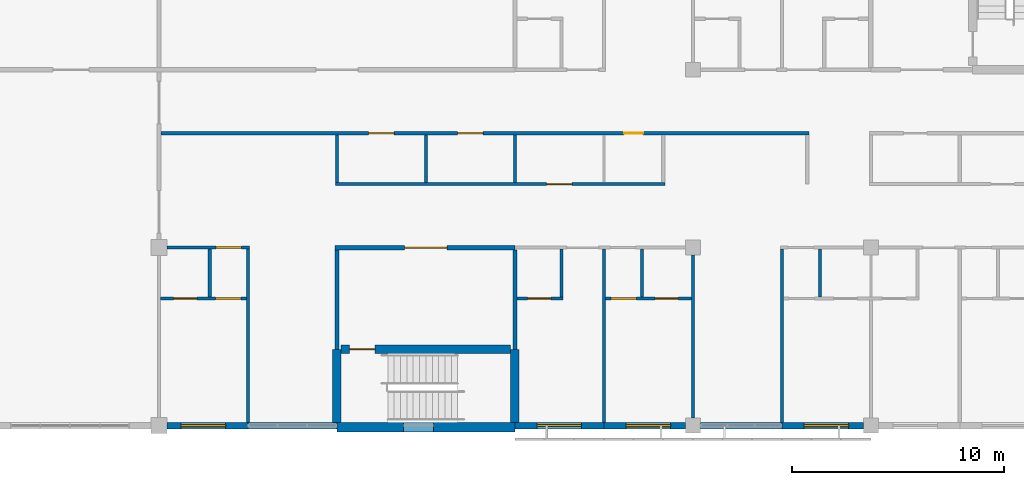
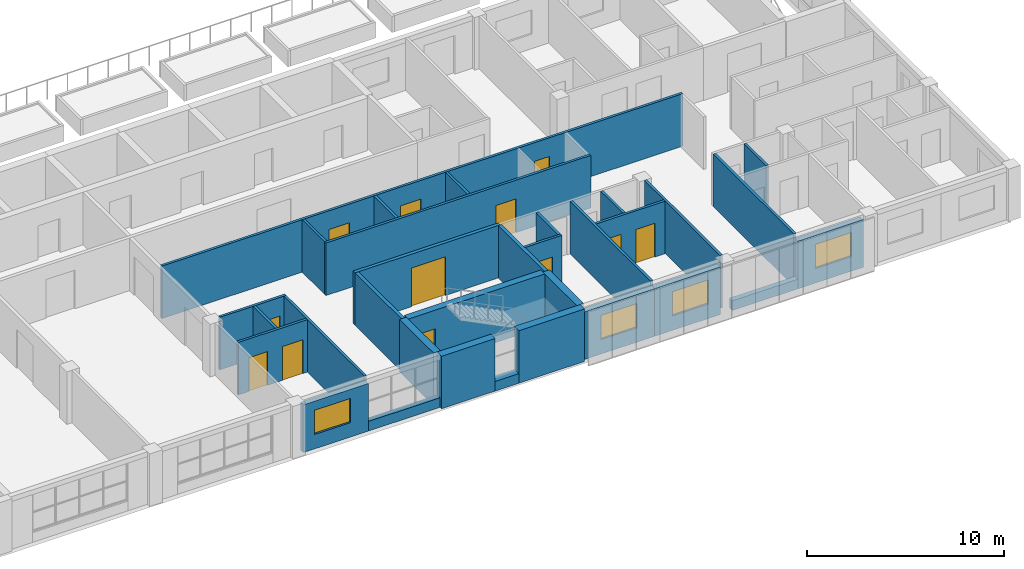
# One storey, part 44 of 61: 32 walls, 12 doors, 4 windows, 16 openings.
"""IFC4 building model written with IfcOpenShell, lengths in metres."""

from ifc_helpers import new_model, si_unit, direction, frame, frame_2d, origin, place, context, subcontext, project, spatial, rectangle, extrude, material, layer, layer_set, type_object, element, fill, save


model = new_model("IFC4")

# Units and contexts
model_context = context("Model", 3, precision=1e-05, world=origin(), true_north=direction((0.0, 1.0)))
body_context = subcontext(model_context, "Body", "Model", "MODEL_VIEW")
ifc_project = project(units=[si_unit("LENGTHUNIT", "METRE"), si_unit("AREAUNIT", "SQUARE_METRE"), si_unit("VOLUMEUNIT", "CUBIC_METRE"), si_unit("PLANEANGLEUNIT", "RADIAN"), si_unit("MASSUNIT", "GRAM", prefix="KILO")], contexts=[model_context])

# Site, building, storey
site_placement = place(None, origin())
site = spatial("IfcSite", under=ifc_project, at=site_placement, CompositionType="ELEMENT")
building_placement = place(site_placement, origin())
building = spatial("IfcBuilding", under=site, at=building_placement, Name="Yavir Park General Hospital", CompositionType="ELEMENT")
storey_placement = place(building_placement, frame((0.0, 0.0, 15.300048828125)))
storey = spatial("IfcBuildingStorey", under=building, at=storey_placement, Name="L03", CompositionType="ELEMENT", Elevation=15.300048828125)

# Wall, opening, door
ifc_material_1 = material(Name="Double gypsum board fire partition on steel studs", Category="steel")
ifc_layer_1 = layer(ifc_material_1, 0.199951171875)
ifc_layer_set_1 = layer_set([ifc_layer_1], Name="Double gypsum board fire partition on steel studs")
wall_type_1 = type_object("IfcWallType", Name="Fire-rated partition 200, EI 60", PredefinedType="PARTITIONING", material=ifc_layer_set_1)
wall_1_placement = place(storey_placement, frame((134.300048828125, 8.39990234375, 0.0), z_axis=(0.0, 0.0, 1.0), x_axis=(1.0, 0.0, 0.0)))
wall_1 = element("IfcWall", 1, at=wall_1_placement, inside=storey, type_object=wall_type_1, Name="FP20 L03-025", PredefinedType="PARTITIONING", context=body_context, shape_type="SweptSolid", body=[
    extrude(rectangle(XDim=8.5, YDim=0.199951171875, at=frame_2d((4.25, 0.0))), origin(), (0.0, 0.0, 1.0), 3.260009765625),
])
opening_1_placement = place(wall_1_placement, frame((3.300048828125, 0.0, 0.0)))
opening_1 = element("IfcOpeningElement", 2, at=opening_1_placement, cuts=wall_1, Name="Opening L03.D033", PredefinedType="OPENING", context=body_context, shape_type="SweptSolid", body=[
    extrude(rectangle(XDim=2.0, YDim=2.39990234375, at=frame_2d((1.0, 1.199951171875))), frame((0.0, 0.10986328125, 0.0), z_axis=(0.0, -1.0, 0.0), x_axis=(1.0, 0.0, 0.0)), (0.0, 0.0, 1.0), 0.219970703125),
])
ifc_material_2 = material(Name="Steel frame, fire-resisting leaves with vision panels", Category="steel")
door_type_1 = type_object("IfcDoorType", Name="Double fire door with vision panels 2000 x 2400, EI 60", OperationType="DOUBLE_DOOR_SINGLE_SWING", PredefinedType="DOOR", material=ifc_material_2)
door_1_placement = place(opening_1_placement, origin())
door_1 = element("IfcDoor", 3, at=door_1_placement, inside=storey, type_object=door_type_1, Name="L03.D033", OperationType="SINGLE_SWING_LEFT", OverallHeight=2.39990234375, OverallWidth=2.0, PredefinedType="DOOR", context=body_context, shape_type="SweptSolid", body=[
    extrude(rectangle(XDim=2.0, YDim=2.39990234375, at=frame_2d((1.0, 1.199951171875))), frame((0.0, 0.030029296875, 0.0), z_axis=(0.0, -1.0, 0.0), x_axis=(1.0, 0.0, 0.0)), (0.0, 0.0, 1.0), 0.06005859375),
])
fill(opening_1, door_1)

# Walls
for number, where, z_axis, x_axis, name in (
    (4, (134.39990234375, 3.60009765625, 0.0), (0.0, 0.0, 1.0), (0.0, 1.0, 0.0), "FP20 L03-265"),
    (5, (142.800048828125, 3.60009765625, 0.0), (0.0, 0.0, 1.0), (0.0, 1.0, 0.0), "FP20 L03-271"),
):
    element("IfcWall", number, at=place(storey_placement, frame(where, z_axis=z_axis, x_axis=x_axis)), inside=storey, type_object=wall_type_1, Name=name, PredefinedType="PARTITIONING", context=body_context, shape_type="SweptSolid", body=[
        extrude(rectangle(XDim=4.699951171875, YDim=0.199951171875, at=frame_2d((2.35009765625, 0.0))), origin(), (0.0, 0.0, 1.0), 3.260009765625),
    ])

# Wall, openings, doors
ifc_material_3 = material(Name="Gypsum board partition on steel studs", Category="steel")
ifc_layer_2 = layer(ifc_material_3, 0.14990234375)
ifc_layer_set_2 = layer_set([ifc_layer_2], Name="Gypsum board partition on steel studs")
wall_type_2 = type_object("IfcWallType", Name="Gypsum board partition 150", PredefinedType="PARTITIONING", material=ifc_layer_set_2)
wall_2_placement = place(storey_placement, frame((126.074951171875, 6.0, 0.0), z_axis=(0.0, 0.0, 1.0), x_axis=(1.0, 0.0, 0.0)))
wall_2 = element("IfcWall", 6, at=wall_2_placement, inside=storey, type_object=wall_type_2, Name="P15 L03-009", PredefinedType="PARTITIONING", context=body_context, shape_type="SweptSolid", body=[
    extrude(rectangle(XDim=4.050048828125, YDim=0.14990234375, at=frame_2d((2.02490234375, 0.0))), origin(), (0.0, 0.0, 1.0), 3.260009765625),
])
opening_2_placement = place(wall_2_placement, frame((0.612548828125, 0.0, 0.0)))
opening_2 = element("IfcOpeningElement", 7, at=opening_2_placement, cuts=wall_2, Name="Opening L03.D010", PredefinedType="OPENING", context=body_context, shape_type="SweptSolid", body=[
    extrude(rectangle(XDim=1.10009765625, YDim=2.10009765625, at=frame_2d((0.550048828125, 1.050048828125))), frame((0.0, 0.0849609375, 0.0), z_axis=(0.0, -1.0, 0.0), x_axis=(1.0, 0.0, 0.0)), (0.0, 0.0, 1.0), 0.169921875),
])
opening_3_placement = place(wall_2_placement, frame((2.58740234375, 0.0, 0.0)))
opening_3 = element("IfcOpeningElement", 8, at=opening_3_placement, cuts=wall_2, Name="Opening L03.D011", PredefinedType="OPENING", context=body_context, shape_type="SweptSolid", body=[
    extrude(rectangle(XDim=1.199951171875, YDim=2.10009765625, at=frame_2d((0.60009765625, 1.050048828125))), frame((0.0, 0.0849609375, 0.0), z_axis=(0.0, -1.0, 0.0), x_axis=(1.0, 0.0, 0.0)), (0.0, 0.0, 1.0), 0.169921875),
])
ifc_material_4 = material(Name="Sealed steel door leaf, compression seals", Category="steel")
door_type_2 = type_object("IfcDoorType", Name="Isolation airlock door 1200 x 2100", OperationType="SINGLE_SWING_LEFT", PredefinedType="DOOR", material=ifc_material_4)
door_2_placement = place(opening_3_placement, origin())
door_2 = element("IfcDoor", 9, at=door_2_placement, inside=storey, type_object=door_type_2, Name="L03.D011", OperationType="SINGLE_SWING_RIGHT", OverallHeight=2.10009765625, OverallWidth=1.199951171875, PredefinedType="DOOR", context=body_context, shape_type="SweptSolid", body=[
    extrude(rectangle(XDim=1.199951171875, YDim=2.10009765625, at=frame_2d((0.60009765625, 1.050048828125))), frame((0.0, 0.050048828125, 0.0), z_axis=(0.0, -1.0, 0.0), x_axis=(1.0, 0.0, 0.0)), (0.0, 0.0, 1.0), 0.10009765625),
])
fill(opening_3, door_2)
ifc_material_5 = material(Name="Hollow metal frame, solid-core timber leaf", Category="wood")
door_type_3 = type_object("IfcDoorType", Name="Single swing door 1100 x 2100", OperationType="SINGLE_SWING_LEFT", PredefinedType="DOOR", material=ifc_material_5)
door_3_placement = place(opening_2_placement, origin())
door_3 = element("IfcDoor", 10, at=door_3_placement, inside=storey, type_object=door_type_3, Name="L03.D010", OperationType="SINGLE_SWING_LEFT", OverallHeight=2.10009765625, OverallWidth=1.10009765625, PredefinedType="DOOR", context=body_context, shape_type="SweptSolid", body=[
    extrude(rectangle(XDim=1.10009765625, YDim=2.10009765625, at=frame_2d((0.550048828125, 1.050048828125))), frame((0.0, 0.02490234375, 0.0), z_axis=(0.0, -1.0, 0.0), x_axis=(1.0, 0.0, 0.0)), (0.0, 0.0, 1.0), 0.050048828125),
])
fill(opening_2, door_3)

# Wall, opening, door
wall_3_placement = place(storey_placement, frame((142.89990234375, 6.0, 0.0), z_axis=(0.0, 0.0, 1.0), x_axis=(1.0, 0.0, 0.0)))
wall_3 = element("IfcWall", 11, at=wall_3_placement, inside=storey, type_object=wall_type_2, Name="P15 L03-010", PredefinedType="PARTITIONING", context=body_context, shape_type="SweptSolid", body=[
    extrude(rectangle(XDim=2.175048828125, YDim=0.14990234375, at=frame_2d((1.08740234375, 0.0))), origin(), (0.0, 0.0, 1.0), 3.260009765625),
])
opening_4_placement = place(wall_3_placement, frame((0.5, 0.0, 0.0)))
opening_4 = element("IfcOpeningElement", 12, at=opening_4_placement, cuts=wall_3, Name="Opening L03.D012", PredefinedType="OPENING", context=body_context, shape_type="SweptSolid", body=[
    extrude(rectangle(XDim=1.10009765625, YDim=2.10009765625, at=frame_2d((0.550048828125, 1.050048828125))), frame((0.0, 0.0849609375, 0.0), z_axis=(0.0, -1.0, 0.0), x_axis=(1.0, 0.0, 0.0)), (0.0, 0.0, 1.0), 0.169921875),
])
door_4_placement = place(opening_4_placement, origin())
door_4 = element("IfcDoor", 13, at=door_4_placement, inside=storey, type_object=door_type_3, Name="L03.D012", OperationType="SINGLE_SWING_LEFT", OverallHeight=2.10009765625, OverallWidth=1.10009765625, PredefinedType="DOOR", context=body_context, shape_type="SweptSolid", body=[
    extrude(rectangle(XDim=1.10009765625, YDim=2.10009765625, at=frame_2d((0.550048828125, 1.050048828125))), frame((0.0, 0.02490234375, 0.0), z_axis=(0.0, -1.0, 0.0), x_axis=(1.0, 0.0, 0.0)), (0.0, 0.0, 1.0), 0.050048828125),
])
fill(opening_4, door_4)

# Wall, openings, doors
wall_4_placement = place(storey_placement, frame((147.074951171875, 6.0, 0.0), z_axis=(0.0, 0.0, 1.0), x_axis=(1.0, 0.0, 0.0)))
wall_4 = element("IfcWall", 14, at=wall_4_placement, inside=storey, type_object=wall_type_2, Name="P15 L03-011", PredefinedType="PARTITIONING", context=body_context, shape_type="SweptSolid", body=[
    extrude(rectangle(XDim=4.050048828125, YDim=0.14990234375, at=frame_2d((2.02490234375, 0.0))), origin(), (0.0, 0.0, 1.0), 3.260009765625),
])
opening_5_placement = place(wall_4_placement, frame((0.262451171875, 0.0, 0.0)))
opening_5 = element("IfcOpeningElement", 15, at=opening_5_placement, cuts=wall_4, Name="Opening L03.D013", PredefinedType="OPENING", context=body_context, shape_type="SweptSolid", body=[
    extrude(rectangle(XDim=1.199951171875, YDim=2.10009765625, at=frame_2d((0.60009765625, 1.050048828125))), frame((0.0, 0.0849609375, 0.0), z_axis=(0.0, -1.0, 0.0), x_axis=(1.0, 0.0, 0.0)), (0.0, 0.0, 1.0), 0.169921875),
])
opening_6_placement = place(wall_4_placement, frame((2.33740234375, 0.0, 0.0)))
opening_6 = element("IfcOpeningElement", 16, at=opening_6_placement, cuts=wall_4, Name="Opening L03.D014", PredefinedType="OPENING", context=body_context, shape_type="SweptSolid", body=[
    extrude(rectangle(XDim=1.10009765625, YDim=2.10009765625, at=frame_2d((0.550048828125, 1.050048828125))), frame((0.0, 0.0849609375, 0.0), z_axis=(0.0, -1.0, 0.0), x_axis=(1.0, 0.0, 0.0)), (0.0, 0.0, 1.0), 0.169921875),
])
door_5_placement = place(opening_5_placement, origin())
door_5 = element("IfcDoor", 17, at=door_5_placement, inside=storey, type_object=door_type_2, Name="L03.D013", OperationType="SINGLE_SWING_LEFT", OverallHeight=2.10009765625, OverallWidth=1.199951171875, PredefinedType="DOOR", context=body_context, shape_type="SweptSolid", body=[
    extrude(rectangle(XDim=1.199951171875, YDim=2.10009765625, at=frame_2d((0.60009765625, 1.050048828125))), frame((0.0, 0.050048828125, 0.0), z_axis=(0.0, -1.0, 0.0), x_axis=(1.0, 0.0, 0.0)), (0.0, 0.0, 1.0), 0.10009765625),
])
fill(opening_5, door_5)
door_6_placement = place(opening_6_placement, origin())
door_6 = element("IfcDoor", 18, at=door_6_placement, inside=storey, type_object=door_type_3, Name="L03.D014", OperationType="SINGLE_SWING_RIGHT", OverallHeight=2.10009765625, OverallWidth=1.10009765625, PredefinedType="DOOR", context=body_context, shape_type="SweptSolid", body=[
    extrude(rectangle(XDim=1.10009765625, YDim=2.10009765625, at=frame_2d((0.550048828125, 1.050048828125))), frame((0.0, 0.02490234375, 0.0), z_axis=(0.0, -1.0, 0.0), x_axis=(1.0, 0.0, 0.0)), (0.0, 0.0, 1.0), 0.050048828125),
])
fill(opening_6, door_6)

# Wall, opening, door
wall_5_placement = place(storey_placement, frame((126.375, 8.39990234375, 0.0), z_axis=(0.0, 0.0, 1.0), x_axis=(1.0, 0.0, 0.0)))
wall_5 = element("IfcWall", 19, at=wall_5_placement, inside=storey, type_object=wall_type_2, Name="P15 L03-024", PredefinedType="PARTITIONING", context=body_context, shape_type="SweptSolid", body=[
    extrude(rectangle(XDim=3.89990234375, YDim=0.14990234375, at=frame_2d((1.949951171875, 0.0))), origin(), (0.0, 0.0, 1.0), 3.260009765625),
])
opening_7_placement = place(wall_5_placement, frame((2.324951171875, 0.0, 0.0)))
opening_7 = element("IfcOpeningElement", 20, at=opening_7_placement, cuts=wall_5, Name="Opening L03.D032", PredefinedType="OPENING", context=body_context, shape_type="SweptSolid", body=[
    extrude(rectangle(XDim=1.199951171875, YDim=2.10009765625, at=frame_2d((0.60009765625, 1.050048828125))), frame((0.0, 0.0849609375, 0.0), z_axis=(0.0, -1.0, 0.0), x_axis=(1.0, 0.0, 0.0)), (0.0, 0.0, 1.0), 0.169921875),
])
door_7_placement = place(opening_7_placement, origin())
door_7 = element("IfcDoor", 21, at=door_7_placement, inside=storey, type_object=door_type_2, Name="L03.D032", OperationType="SINGLE_SWING_LEFT", OverallHeight=2.10009765625, OverallWidth=1.199951171875, PredefinedType="DOOR", context=body_context, shape_type="SweptSolid", body=[
    extrude(rectangle(XDim=1.199951171875, YDim=2.10009765625, at=frame_2d((0.60009765625, 1.050048828125))), frame((0.0, 0.050048828125, 0.0), z_axis=(0.0, -1.0, 0.0), x_axis=(1.0, 0.0, 0.0)), (0.0, 0.0, 1.0), 0.10009765625),
])
fill(opening_7, door_7)

wall_6_placement = place(storey_placement, frame((134.324951171875, 11.39990234375, 0.0), z_axis=(0.0, 0.0, 1.0), x_axis=(1.0, 0.0, 0.0)))
wall_6 = element("IfcWall", 22, at=wall_6_placement, inside=storey, type_object=wall_type_2, Name="P15 L03-032", PredefinedType="PARTITIONING", context=body_context, shape_type="SweptSolid", body=[
    extrude(rectangle(XDim=15.550048828125, YDim=0.14990234375, at=frame_2d((7.77490234375, 0.0))), origin(), (0.0, 0.0, 1.0), 3.260009765625),
])
opening_8_placement = place(wall_6_placement, frame((9.97509765625, 0.0, 0.0)))
opening_8 = element("IfcOpeningElement", 23, at=opening_8_placement, cuts=wall_6, Name="Opening L03.D046", PredefinedType="OPENING", context=body_context, shape_type="SweptSolid", body=[
    extrude(rectangle(XDim=1.199951171875, YDim=2.10009765625, at=frame_2d((0.60009765625, 1.050048828125))), frame((0.0, 0.0849609375, 0.0), z_axis=(0.0, -1.0, 0.0), x_axis=(1.0, 0.0, 0.0)), (0.0, 0.0, 1.0), 0.169921875),
])
ifc_material_6 = material(Name="Hollow metal frame, solid-core timber leaf", Category="wood")
door_type_4 = type_object("IfcDoorType", Name="Single swing door 1200 x 2100", OperationType="SINGLE_SWING_LEFT", PredefinedType="DOOR", material=ifc_material_6)
door_8_placement = place(opening_8_placement, origin())
door_8 = element("IfcDoor", 24, at=door_8_placement, inside=storey, type_object=door_type_4, Name="L03.D046", OperationType="SINGLE_SWING_RIGHT", OverallHeight=2.10009765625, OverallWidth=1.199951171875, PredefinedType="DOOR", context=body_context, shape_type="SweptSolid", body=[
    extrude(rectangle(XDim=1.199951171875, YDim=2.10009765625, at=frame_2d((0.60009765625, 1.050048828125))), frame((0.0, 0.02490234375, 0.0), z_axis=(0.0, -1.0, 0.0), x_axis=(1.0, 0.0, 0.0)), (0.0, 0.0, 1.0), 0.050048828125),
])
fill(opening_8, door_8)

# Wall, openings, doors
wall_7_placement = place(storey_placement, frame((126.10009765625, 13.800048828125, 0.0), z_axis=(0.0, 0.0, 1.0), x_axis=(1.0, 0.0, 0.0)))
wall_7 = element("IfcWall", 25, at=wall_7_placement, inside=storey, type_object=wall_type_2, Name="P15 L03-038", PredefinedType="PARTITIONING", context=body_context, shape_type="SweptSolid", body=[
    extrude(rectangle(XDim=30.574951171875, YDim=0.14990234375, at=frame_2d((15.28759765625, 0.0))), origin(), (0.0, 0.0, 1.0), 3.260009765625),
])
opening_9_placement = place(wall_7_placement, frame((9.800048828125, 0.0, 0.0)))
opening_9 = element("IfcOpeningElement", 26, at=opening_9_placement, cuts=wall_7, Name="Opening L03.D050", PredefinedType="OPENING", context=body_context, shape_type="SweptSolid", body=[
    extrude(rectangle(XDim=1.199951171875, YDim=2.10009765625, at=frame_2d((0.60009765625, 1.050048828125))), frame((0.0, 0.0849609375, 0.0), z_axis=(0.0, -1.0, 0.0), x_axis=(1.0, 0.0, 0.0)), (0.0, 0.0, 1.0), 0.169921875),
])
opening_10_placement = place(wall_7_placement, frame((14.0, 0.0, 0.0)))
opening_10 = element("IfcOpeningElement", 27, at=opening_10_placement, cuts=wall_7, Name="Opening L03.D051", PredefinedType="OPENING", context=body_context, shape_type="SweptSolid", body=[
    extrude(rectangle(XDim=1.199951171875, YDim=2.10009765625, at=frame_2d((0.60009765625, 1.050048828125))), frame((0.0, 0.0849609375, 0.0), z_axis=(0.0, -1.0, 0.0), x_axis=(1.0, 0.0, 0.0)), (0.0, 0.0, 1.0), 0.169921875),
])
opening_11_placement = place(wall_7_placement, frame((21.85009765625, 0.0, 0.0)))
opening_11 = element("IfcOpeningElement", 28, at=opening_11_placement, cuts=wall_7, Name="Opening L03.D052", PredefinedType="OPENING", context=body_context, shape_type="SweptSolid", body=[
    extrude(rectangle(XDim=0.89990234375, YDim=2.10009765625, at=frame_2d((0.449951171875, 1.050048828125))), frame((0.0, 0.0849609375, 0.0), z_axis=(0.0, -1.0, 0.0), x_axis=(1.0, 0.0, 0.0)), (0.0, 0.0, 1.0), 0.169921875),
])
ifc_material_7 = material(Name="Timber frame, hollow-core leaf", Category="wood")
door_type_5 = type_object("IfcDoorType", Name="Light cupboard door 900 x 2100", OperationType="SINGLE_SWING_LEFT", PredefinedType="DOOR", material=ifc_material_7)
door_9_placement = place(opening_11_placement, origin())
door_9 = element("IfcDoor", 29, at=door_9_placement, inside=storey, type_object=door_type_5, Name="L03.D052", OperationType="SINGLE_SWING_LEFT", OverallHeight=2.10009765625, OverallWidth=0.89990234375, PredefinedType="DOOR", context=body_context, shape_type="SweptSolid", body=[
    extrude(rectangle(XDim=0.89990234375, YDim=2.10009765625, at=frame_2d((0.449951171875, 1.050048828125))), frame((0.0, 0.02001953125, 0.0), z_axis=(0.0, -1.0, 0.0), x_axis=(1.0, 0.0, 0.0)), (0.0, 0.0, 1.0), 0.0400390625),
])
fill(opening_11, door_9)
door_10_placement = place(opening_9_placement, origin())
door_10 = element("IfcDoor", 30, at=door_10_placement, inside=storey, type_object=door_type_4, Name="L03.D050", OperationType="SINGLE_SWING_LEFT", OverallHeight=2.10009765625, OverallWidth=1.199951171875, PredefinedType="DOOR", context=body_context, shape_type="SweptSolid", body=[
    extrude(rectangle(XDim=1.199951171875, YDim=2.10009765625, at=frame_2d((0.60009765625, 1.050048828125))), frame((0.0, 0.02490234375, 0.0), z_axis=(0.0, -1.0, 0.0), x_axis=(1.0, 0.0, 0.0)), (0.0, 0.0, 1.0), 0.050048828125),
])
fill(opening_9, door_10)
door_11_placement = place(opening_10_placement, origin())
door_11 = element("IfcDoor", 31, at=door_11_placement, inside=storey, type_object=door_type_4, Name="L03.D051", OperationType="SINGLE_SWING_LEFT", OverallHeight=2.10009765625, OverallWidth=1.199951171875, PredefinedType="DOOR", context=body_context, shape_type="SweptSolid", body=[
    extrude(rectangle(XDim=1.199951171875, YDim=2.10009765625, at=frame_2d((0.60009765625, 1.050048828125))), frame((0.0, 0.02490234375, 0.0), z_axis=(0.0, -1.0, 0.0), x_axis=(1.0, 0.0, 0.0)), (0.0, 0.0, 1.0), 0.050048828125),
])
fill(opening_10, door_11)

# Walls
wall_8_placement = place(storey_placement, frame((128.39990234375, 6.074951171875, 0.0), z_axis=(0.0, 0.0, 1.0), x_axis=(0.0, 1.0, 0.0)))
element("IfcWall", 32, at=wall_8_placement, inside=storey, type_object=wall_type_2, Name="P15 L03-261", PredefinedType="PARTITIONING", context=body_context, shape_type="SweptSolid", body=[
    extrude(rectangle(XDim=2.25, YDim=0.14990234375, at=frame_2d((1.125, 0.0))), origin(), (0.0, 0.0, 1.0), 3.260009765625),
])
wall_9_placement = place(storey_placement, frame((130.199951171875, 0.14990234375, 0.0), z_axis=(0.0, 0.0, 1.0), x_axis=(0.0, 1.0, 0.0)))
element("IfcWall", 33, at=wall_9_placement, inside=storey, type_object=wall_type_2, Name="P15 L03-262", PredefinedType="PARTITIONING", context=body_context, shape_type="SweptSolid", body=[
    extrude(rectangle(XDim=8.175048828125, YDim=0.14990234375, at=frame_2d((4.08740234375, 0.0))), origin(), (0.0, 0.0, 1.0), 3.260009765625),
])
for number, where, z_axis, x_axis, name in (
    (34, (134.39990234375, 11.47509765625, 0.0), (0.0, 0.0, 1.0), (0.0, 1.0, 0.0), "P15 L03-266"),
    (35, (138.60009765625, 11.47509765625, 0.0), (0.0, 0.0, 1.0), (0.0, 1.0, 0.0), "P15 L03-268"),
    (36, (142.800048828125, 11.47509765625, 0.0), (0.0, 0.0, 1.0), (0.0, 1.0, 0.0), "P15 L03-272"),
    (37, (145.0, 6.074951171875, 0.0), (0.0, 0.0, 1.0), (0.0, 1.0, 0.0), "P15 L03-275"),
):
    element("IfcWall", number, at=place(storey_placement, frame(where, z_axis=z_axis, x_axis=x_axis)), inside=storey, type_object=wall_type_2, Name=name, PredefinedType="PARTITIONING", context=body_context, shape_type="SweptSolid", body=[
        extrude(rectangle(XDim=2.25, YDim=0.14990234375, at=frame_2d((1.125, 0.0))), origin(), (0.0, 0.0, 1.0), 3.260009765625),
    ])
wall_10_placement = place(storey_placement, frame((147.0, 0.14990234375, 0.0), z_axis=(0.0, 0.0, 1.0), x_axis=(0.0, 1.0, 0.0)))
element("IfcWall", 38, at=wall_10_placement, inside=storey, type_object=wall_type_2, Name="P15 L03-277", PredefinedType="PARTITIONING", context=body_context, shape_type="SweptSolid", body=[
    extrude(rectangle(XDim=8.175048828125, YDim=0.14990234375, at=frame_2d((4.08740234375, 0.0))), origin(), (0.0, 0.0, 1.0), 3.260009765625),
])
wall_11_placement = place(storey_placement, frame((148.800048828125, 6.074951171875, 0.0), z_axis=(0.0, 0.0, 1.0), x_axis=(0.0, 1.0, 0.0)))
element("IfcWall", 39, at=wall_11_placement, inside=storey, type_object=wall_type_2, Name="P15 L03-280", PredefinedType="PARTITIONING", context=body_context, shape_type="SweptSolid", body=[
    extrude(rectangle(XDim=2.25, YDim=0.14990234375, at=frame_2d((1.125, 0.0))), origin(), (0.0, 0.0, 1.0), 3.260009765625),
])
wall_12_placement = place(storey_placement, frame((151.199951171875, 0.35009765625, 0.0), z_axis=(0.0, 0.0, 1.0), x_axis=(0.0, 1.0, 0.0)))
element("IfcWall", 40, at=wall_12_placement, inside=storey, type_object=wall_type_2, Name="P15 L03-282", PredefinedType="PARTITIONING", context=body_context, shape_type="SweptSolid", body=[
    extrude(rectangle(XDim=7.699951171875, YDim=0.14990234375, at=frame_2d((3.85009765625, 0.0))), origin(), (0.0, 0.0, 1.0), 3.260009765625),
])
wall_13_placement = place(storey_placement, frame((155.39990234375, 0.14990234375, 0.0), z_axis=(0.0, 0.0, 1.0), x_axis=(0.0, 1.0, 0.0)))
element("IfcWall", 41, at=wall_13_placement, inside=storey, type_object=wall_type_2, Name="P15 L03-285", PredefinedType="PARTITIONING", context=body_context, shape_type="SweptSolid", body=[
    extrude(rectangle(XDim=8.175048828125, YDim=0.14990234375, at=frame_2d((4.08740234375, 0.0))), origin(), (0.0, 0.0, 1.0), 3.260009765625),
])
wall_14_placement = place(storey_placement, frame((157.199951171875, 6.074951171875, 0.0), z_axis=(0.0, 0.0, 1.0), x_axis=(0.0, 1.0, 0.0)))
element("IfcWall", 42, at=wall_14_placement, inside=storey, type_object=wall_type_2, Name="P15 L03-288", PredefinedType="PARTITIONING", context=body_context, shape_type="SweptSolid", body=[
    extrude(rectangle(XDim=2.25, YDim=0.14990234375, at=frame_2d((1.125, 0.0))), origin(), (0.0, 0.0, 1.0), 3.260009765625),
])

# Wall, opening, window
ifc_material_8 = material(Name="Autoclaved aerated block, mineral wool and ochre mineral render")
ifc_layer_3 = layer(ifc_material_8, 0.300048828125)
ifc_layer_set_3 = layer_set([ifc_layer_3], Name="Autoclaved aerated block, mineral wool and ochre mineral render")
wall_type_3 = type_object("IfcWallType", Name="Ochre render ward wall 300, E 30", PredefinedType="SOLIDWALL", material=ifc_layer_set_3)
wall_15_placement = place(storey_placement, frame((126.375, 0.0, 0.0), z_axis=(0.0, 0.0, 1.0), x_axis=(1.0, 0.0, 0.0)))
wall_15 = element("IfcWall", 43, at=wall_15_placement, inside=storey, type_object=wall_type_3, Name="XW7 L03-034", PredefinedType="SOLIDWALL", context=body_context, shape_type="SweptSolid", body=[
    extrude(rectangle(XDim=3.824951171875, YDim=0.300048828125, at=frame_2d((1.91259765625, 0.0))), origin(), (0.0, 0.0, 1.0), 2.9599609375),
])
opening_12_placement = place(wall_15_placement, frame((0.675048828125, 0.0, 0.89990234375)))
opening_12 = element("IfcOpeningElement", 44, at=opening_12_placement, cuts=wall_15, Name="Opening WI", PredefinedType="OPENING", context=body_context, shape_type="SweptSolid", body=[
    extrude(rectangle(XDim=2.10009765625, YDim=1.5, at=frame_2d((1.050048828125, 0.75))), frame((0.0, 0.159912109375, 0.0), z_axis=(0.0, -1.0, 0.0), x_axis=(1.0, 0.0, 0.0)), (0.0, 0.0, 1.0), 0.320068359375),
])
ifc_material_9 = material(Name="Aluminium frame, acoustic glazed unit", Category="aluminium")
window_type_1 = type_object("IfcWindowType", Name="Acoustic glazed window 2100 x 1500", PartitioningType="SINGLE_PANEL", PredefinedType="WINDOW", material=ifc_material_9)
window_1_placement = place(opening_12_placement, origin())
window_1 = element("IfcWindow", 45, at=window_1_placement, inside=storey, type_object=window_type_1, Name="WI L03-015", OverallHeight=1.5, OverallWidth=2.10009765625, PartitioningType="SINGLE_PANEL", PredefinedType="WINDOW", context=body_context, shape_type="SweptSolid", body=[
    extrude(rectangle(XDim=2.10009765625, YDim=1.5, at=frame_2d((1.050048828125, 0.75))), frame((0.0, 0.044921875, 0.0), z_axis=(0.0, -1.0, 0.0), x_axis=(1.0, 0.0, 0.0)), (0.0, 0.0, 1.0), 0.090087890625),
])
fill(opening_12, window_1)

# Wall
wall_16_placement = place(storey_placement, frame((130.199951171875, 0.0, 0.0), z_axis=(0.0, 0.0, 1.0), x_axis=(1.0, 0.0, 0.0)))
element("IfcWall", 46, at=wall_16_placement, inside=storey, type_object=wall_type_3, Name="XW7 L03-035", PredefinedType="SOLIDWALL", context=body_context, shape_type="SweptSolid", body=[
    extrude(rectangle(XDim=4.199951171875, YDim=0.300048828125, at=frame_2d((2.10009765625, 0.0))), origin(), (0.0, 0.0, 1.0), 0.599853515625),
])

# Wall, opening, window
wall_17_placement = place(storey_placement, frame((142.800048828125, 0.0, 0.0), z_axis=(0.0, 0.0, 1.0), x_axis=(1.0, 0.0, 0.0)))
wall_17 = element("IfcWall", 47, at=wall_17_placement, inside=storey, type_object=wall_type_3, Name="XW7 L03-039", PredefinedType="SOLIDWALL", context=body_context, shape_type="SweptSolid", body=[
    extrude(rectangle(XDim=4.199951171875, YDim=0.300048828125, at=frame_2d((2.10009765625, 0.0))), origin(), (0.0, 0.0, 1.0), 2.9599609375),
])
opening_13_placement = place(wall_17_placement, frame((1.050048828125, 0.0, 0.89990234375)))
opening_13 = element("IfcOpeningElement", 48, at=opening_13_placement, cuts=wall_17, Name="Opening WAR", PredefinedType="OPENING", context=body_context, shape_type="SweptSolid", body=[
    extrude(rectangle(XDim=2.10009765625, YDim=1.5, at=frame_2d((1.050048828125, 0.75))), frame((0.0, 0.159912109375, 0.0), z_axis=(0.0, -1.0, 0.0), x_axis=(1.0, 0.0, 0.0)), (0.0, 0.0, 1.0), 0.320068359375),
])
ifc_material_10 = material(Name="Aluminium frame, tilt-and-turn sash with opening restrictor, double glazed unit", Category="aluminium")
window_type_2 = type_object("IfcWindowType", Name="Ward window, restricted opening 2100 x 1500", PartitioningType="DOUBLE_PANEL_VERTICAL", PredefinedType="WINDOW", material=ifc_material_10)
window_2_placement = place(opening_13_placement, origin())
window_2 = element("IfcWindow", 49, at=window_2_placement, inside=storey, type_object=window_type_2, Name="WAR L03-016", OverallHeight=1.5, OverallWidth=2.10009765625, PartitioningType="DOUBLE_PANEL_VERTICAL", PredefinedType="WINDOW", context=body_context, shape_type="SweptSolid", body=[
    extrude(rectangle(XDim=2.10009765625, YDim=1.5, at=frame_2d((1.050048828125, 0.75))), frame((0.0, 0.050048828125, 0.0), z_axis=(0.0, -1.0, 0.0), x_axis=(1.0, 0.0, 0.0)), (0.0, 0.0, 1.0), 0.10009765625),
])
fill(opening_13, window_2)

wall_18_placement = place(storey_placement, frame((147.0, 0.0, 0.0), z_axis=(0.0, 0.0, 1.0), x_axis=(1.0, 0.0, 0.0)))
wall_18 = element("IfcWall", 50, at=wall_18_placement, inside=storey, type_object=wall_type_3, Name="XW7 L03-040", PredefinedType="SOLIDWALL", context=body_context, shape_type="SweptSolid", body=[
    extrude(rectangle(XDim=3.85009765625, YDim=0.300048828125, at=frame_2d((1.925048828125, 0.0))), origin(), (0.0, 0.0, 1.0), 2.9599609375),
])
opening_14_placement = place(wall_18_placement, frame((1.050048828125, 0.0, 0.89990234375)))
opening_14 = element("IfcOpeningElement", 51, at=opening_14_placement, cuts=wall_18, Name="Opening WI", PredefinedType="OPENING", context=body_context, shape_type="SweptSolid", body=[
    extrude(rectangle(XDim=2.10009765625, YDim=1.5, at=frame_2d((1.050048828125, 0.75))), frame((0.0, 0.159912109375, 0.0), z_axis=(0.0, -1.0, 0.0), x_axis=(1.0, 0.0, 0.0)), (0.0, 0.0, 1.0), 0.320068359375),
])
window_3_placement = place(opening_14_placement, origin())
window_3 = element("IfcWindow", 52, at=window_3_placement, inside=storey, type_object=window_type_1, Name="WI L03-017", OverallHeight=1.5, OverallWidth=2.10009765625, PartitioningType="SINGLE_PANEL", PredefinedType="WINDOW", context=body_context, shape_type="SweptSolid", body=[
    extrude(rectangle(XDim=2.10009765625, YDim=1.5, at=frame_2d((1.050048828125, 0.75))), frame((0.0, 0.044921875, 0.0), z_axis=(0.0, -1.0, 0.0), x_axis=(1.0, 0.0, 0.0)), (0.0, 0.0, 1.0), 0.090087890625),
])
fill(opening_14, window_3)

# Wall
wall_19_placement = place(storey_placement, frame((151.550048828125, 0.0, 0.0), z_axis=(0.0, 0.0, 1.0), x_axis=(1.0, 0.0, 0.0)))
element("IfcWall", 53, at=wall_19_placement, inside=storey, type_object=wall_type_3, Name="XW7 L03-041", PredefinedType="SOLIDWALL", context=body_context, shape_type="SweptSolid", body=[
    extrude(rectangle(XDim=3.849853515625, YDim=0.300048828125, at=frame_2d((1.9248046875, 0.0))), origin(), (0.0, 0.0, 1.0), 0.599853515625),
])

# Wall, opening, window
wall_20_placement = place(storey_placement, frame((155.39990234375, 0.0, 0.0), z_axis=(0.0, 0.0, 1.0), x_axis=(1.0, 0.0, 0.0)))
wall_20 = element("IfcWall", 54, at=wall_20_placement, inside=storey, type_object=wall_type_3, Name="XW7 L03-042", PredefinedType="SOLIDWALL", context=body_context, shape_type="SweptSolid", body=[
    extrude(rectangle(XDim=3.85009765625, YDim=0.300048828125, at=frame_2d((1.925048828125, 0.0))), origin(), (0.0, 0.0, 1.0), 2.9599609375),
])
opening_15_placement = place(wall_20_placement, frame((1.050048828125, 0.0, 0.89990234375)))
opening_15 = element("IfcOpeningElement", 55, at=opening_15_placement, cuts=wall_20, Name="Opening WI", PredefinedType="OPENING", context=body_context, shape_type="SweptSolid", body=[
    extrude(rectangle(XDim=2.10009765625, YDim=1.5, at=frame_2d((1.050048828125, 0.75))), frame((0.0, 0.159912109375, 0.0), z_axis=(0.0, -1.0, 0.0), x_axis=(1.0, 0.0, 0.0)), (0.0, 0.0, 1.0), 0.320068359375),
])
window_4_placement = place(opening_15_placement, origin())
window_4 = element("IfcWindow", 56, at=window_4_placement, inside=storey, type_object=window_type_1, Name="WI L03-018", OverallHeight=1.5, OverallWidth=2.10009765625, PartitioningType="SINGLE_PANEL", PredefinedType="WINDOW", context=body_context, shape_type="SweptSolid", body=[
    extrude(rectangle(XDim=2.10009765625, YDim=1.5, at=frame_2d((1.050048828125, 0.75))), frame((0.0, 0.044921875, 0.0), z_axis=(0.0, -1.0, 0.0), x_axis=(1.0, 0.0, 0.0)), (0.0, 0.0, 1.0), 0.090087890625),
])
fill(opening_15, window_4)

# Wall, opening, door
ifc_material_11 = material(Name="Concrete C35/45", Category="concrete")
ifc_layer_4 = layer(ifc_material_11, 0.39990234375)
ifc_layer_set_4 = layer_set([ifc_layer_4], Name="Concrete C35/45")
wall_type_4 = type_object("IfcWallType", Name="Reinforced concrete core wall 400, REI 150", PredefinedType="SHEAR", material=ifc_layer_set_4)
wall_21_placement = place(storey_placement, frame((134.60009765625, 3.60009765625, 0.0), z_axis=(0.0, 0.0, 1.0), x_axis=(1.0, 0.0, 0.0)))
wall_21 = element("IfcWall", 57, at=wall_21_placement, inside=storey, type_object=wall_type_4, Name="CW40 L03-004", PredefinedType="SHEAR", context=body_context, shape_type="SweptSolid", body=[
    extrude(rectangle(XDim=8.0, YDim=0.39990234375, at=frame_2d((4.0, 0.0))), origin(), (0.0, 0.0, 1.0), 3.260009765625),
])
opening_16_placement = place(wall_21_placement, frame((0.39990234375, 0.0, 0.0)))
opening_16 = element("IfcOpeningElement", 58, at=opening_16_placement, cuts=wall_21, Name="Opening L03.D004", PredefinedType="OPENING", context=body_context, shape_type="SweptSolid", body=[
    extrude(rectangle(XDim=1.199951171875, YDim=2.10009765625, at=frame_2d((0.60009765625, 1.050048828125))), frame((0.0, 0.2099609375, 0.0), z_axis=(0.0, -1.0, 0.0), x_axis=(1.0, 0.0, 0.0)), (0.0, 0.0, 1.0), 0.419921875),
])
ifc_material_12 = material(Name="Steel frame, fire-resisting timber leaf", Category="steel")
door_type_6 = type_object("IfcDoorType", Name="Fire door 1200 x 2100, EI 60", OperationType="SINGLE_SWING_LEFT", PredefinedType="DOOR", material=ifc_material_12)
door_12_placement = place(opening_16_placement, origin())
door_12 = element("IfcDoor", 59, at=door_12_placement, inside=storey, type_object=door_type_6, Name="L03.D004", OperationType="SINGLE_SWING_LEFT", OverallHeight=2.10009765625, OverallWidth=1.199951171875, PredefinedType="DOOR", context=body_context, shape_type="SweptSolid", body=[
    extrude(rectangle(XDim=1.199951171875, YDim=2.10009765625, at=frame_2d((0.60009765625, 1.050048828125))), frame((0.0, 0.02490234375, 0.0), z_axis=(0.0, -1.0, 0.0), x_axis=(1.0, 0.0, 0.0)), (0.0, 0.0, 1.0), 0.050048828125),
])
fill(opening_16, door_12)

# Walls
for number, where, z_axis, x_axis, name in (
    (60, (134.39990234375, 0.14990234375, 0.0), (0.0, 0.0, 1.0), (0.0, 1.0, 0.0), "CW40 L03-264"),
    (61, (142.800048828125, 0.14990234375, 0.0), (0.0, 0.0, 1.0), (0.0, 1.0, 0.0), "CW40 L03-270"),
):
    element("IfcWall", number, at=place(storey_placement, frame(where, z_axis=z_axis, x_axis=x_axis)), inside=storey, type_object=wall_type_4, Name=name, PredefinedType="SHEAR", context=body_context, shape_type="SweptSolid", body=[
        extrude(rectangle(XDim=3.4501953125, YDim=0.39990234375, at=frame_2d((1.72509765625, 0.0))), origin(), (0.0, 0.0, 1.0), 3.260009765625),
    ])
ifc_material_13 = material(Name="Concrete C30/37 precast panel with 150 mm mineral wool insulation", Category="concrete")
ifc_layer_5 = layer(ifc_material_13, 0.449951171875)
ifc_layer_set_5 = layer_set([ifc_layer_5], Name="Concrete C30/37 precast panel with 150 mm mineral wool insulation")
wall_type_5 = type_object("IfcWallType", Name="Stair enclosure wall 450, REI 150", PredefinedType="SOLIDWALL", material=ifc_layer_set_5)
wall_22_placement = place(storey_placement, frame((134.39990234375, -0.074951171875, 0.0), z_axis=(0.0, 0.0, 1.0), x_axis=(1.0, 0.0, 0.0)))
element("IfcWall", 62, at=wall_22_placement, inside=storey, type_object=wall_type_5, Name="XW6 L03-036", PredefinedType="SOLIDWALL", context=body_context, shape_type="SweptSolid", body=[
    extrude(rectangle(XDim=3.150146484375, YDim=0.449951171875, at=frame_2d((1.5751953125, 0.0))), origin(), (0.0, 0.0, 1.0), 3.260009765625),
])
wall_23_placement = place(storey_placement, frame((138.949951171875, -0.074951171875, 0.0), z_axis=(0.0, 0.0, 1.0), x_axis=(1.0, 0.0, 0.0)))
element("IfcWall", 63, at=wall_23_placement, inside=storey, type_object=wall_type_5, Name="XW6 L03-037", PredefinedType="SOLIDWALL", context=body_context, shape_type="SweptSolid", body=[
    extrude(rectangle(XDim=3.85009765625, YDim=0.449951171875, at=frame_2d((1.925048828125, 0.0))), origin(), (0.0, 0.0, 1.0), 3.260009765625),
])
wall_24_placement = place(storey_placement, frame((137.550048828125, -0.074951171875, 0.0), z_axis=(0.0, 0.0, 1.0), x_axis=(1.0, 0.0, 0.0)))
element("IfcWall", 64, at=wall_24_placement, inside=storey, type_object=wall_type_5, Name="XW6 L03-038", PredefinedType="SOLIDWALL", context=body_context, shape_type="SweptSolid", body=[
    extrude(rectangle(XDim=1.39990234375, YDim=0.449951171875, at=frame_2d((0.699951171875, 0.0))), origin(), (0.0, 0.0, 1.0), 0.599853515625),
])

save(model, "model.ifc")
